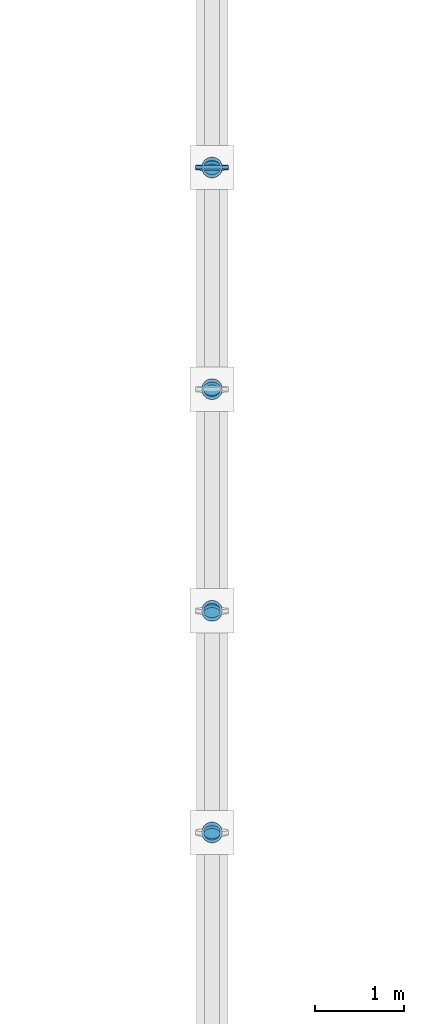
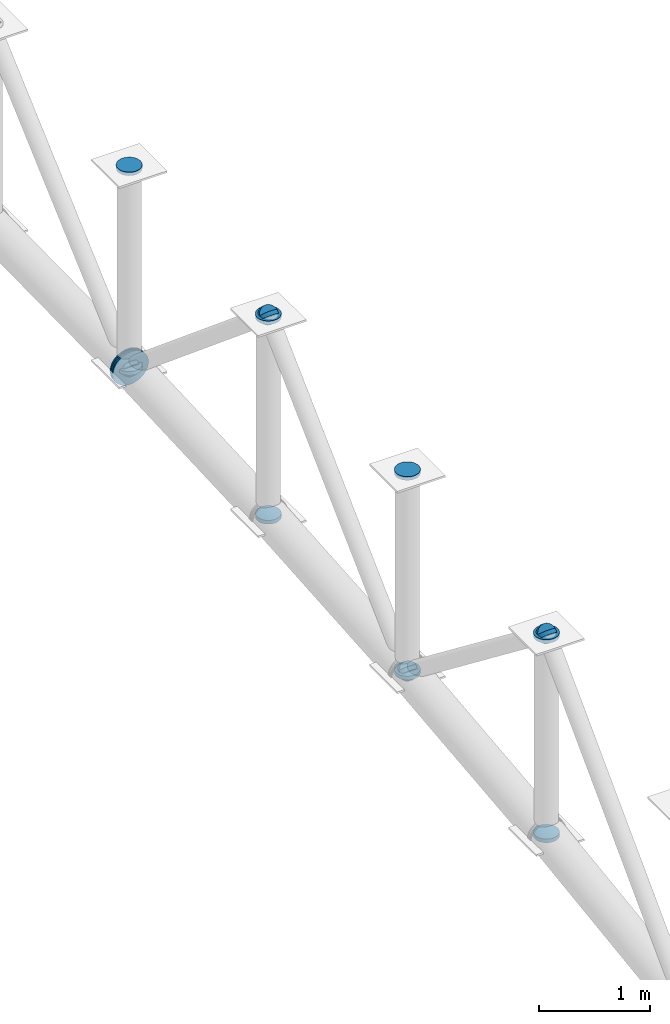
# One storey, part 128 of 195: 18 discrete accessories.
"""IFC4 building model written with IfcOpenShell, lengths in metres."""

from ifc_helpers import new_model, si_unit, direction, frame, origin, origin_2d, place, context, subcontext, project, spatial, circle, extrude, material, element, save


model = new_model("IFC4")

# Units and contexts
model_context = context("Model", 3, precision=1e-05, world=origin(), true_north=direction((0.0, 1.0)))
body_context = subcontext(model_context, "Body", "Model", "MODEL_VIEW")
ifc_project = project(units=[si_unit("LENGTHUNIT", "METRE"), si_unit("AREAUNIT", "SQUARE_METRE"), si_unit("VOLUMEUNIT", "CUBIC_METRE"), si_unit("PLANEANGLEUNIT", "RADIAN"), si_unit("MASSUNIT", "GRAM", prefix="KILO")], contexts=[model_context])

# Site, building, storey
site_placement = place(None, origin())
site = spatial("IfcSite", under=ifc_project, at=site_placement, CompositionType="ELEMENT")
building_placement = place(site_placement, origin())
building = spatial("IfcBuilding", under=site, at=building_placement, Name="Marlcrest Central Station", CompositionType="ELEMENT")
storey_placement = place(building_placement, frame((0.0, 0.0, 9.800048828125)))
storey = spatial("IfcBuildingStorey", under=building, at=storey_placement, Name="L02", CompositionType="ELEMENT", Elevation=9.800048828125)

# Discrete accessories
ifc_material = material(Name="Steel S355", Category="steel")
discrete_accessory_1_placement = place(storey_placement, frame((72.0, 55.982421875, 6.361572265625), z_axis=(0.0, 0.70023547796, 0.713911952139), x_axis=(-1.0, 0.0, 0.0)))
element("IfcDiscreteAccessory", 1, at=discrete_accessory_1_placement, inside=storey, material=ifc_material, Name="endcap-mem-AD-01-L02-01022-e", ObjectType="END_CAP_PLATE", PredefinedType="BRACKET", context=body_context, shape_type="SweptSolid", body=[
    extrude(circle(Radius=0.092041015625, at=origin_2d()), origin(), (0.0, 0.0, 1.0), 0.0400390625),
])
for number, where, z_axis, x_axis, name in (
    (2, (72.0, 56.0, 4.16455078125), (0.0, 0.0, 1.0), (1.0, 0.0, 0.0), "endcap-mem-AP-01-L02-01025-s"),
    (3, (72.0, 56.0, 6.3544921875), (0.0, 0.0, 1.0), (1.0, 0.0, 0.0), "endcap-mem-AP-01-L02-01025-e"),
):
    element("IfcDiscreteAccessory", number, at=place(storey_placement, frame(where, z_axis=z_axis, x_axis=x_axis)), inside=storey, material=ifc_material, Name=name, ObjectType="END_CAP_PLATE", PredefinedType="BRACKET", context=body_context, shape_type="SweptSolid", body=[
        extrude(circle(Radius=0.117431640625, at=origin_2d()), origin(), (0.0, 0.0, 1.0), 0.0400390625),
    ])
for number, where, z_axis, x_axis, name in (
    (4, (72.0, 55.988037109375, 6.388671875), (0.0, 0.791798282026, -0.610782678684), (-1.0, 0.0, 0.0), "endcap-mem-AD-01-L02-01026-s"),
    (5, (72.0, 58.480224609375, 4.46630859375), (0.0, 0.791798282026, -0.610782678684), (-1.0, 0.0, 0.0), "endcap-mem-AD-01-L02-01026-e"),
):
    element("IfcDiscreteAccessory", number, at=place(storey_placement, frame(where, z_axis=z_axis, x_axis=x_axis)), inside=storey, material=ifc_material, Name=name, ObjectType="END_CAP_PLATE", PredefinedType="BRACKET", context=body_context, shape_type="SweptSolid", body=[
        extrude(circle(Radius=0.092041015625, at=origin_2d()), origin(), (0.0, 0.0, 1.0), 0.0400390625),
    ])
for number, where, z_axis, x_axis, name in (
    (6, (72.0, 58.5, 4.43603515625), (0.0, 0.0, 1.0), (1.0, 0.0, 0.0), "endcap-mem-AP-01-L02-01029-s"),
    (7, (72.0, 58.5, 6.6259765625), (0.0, 0.0, 1.0), (1.0, 0.0, 0.0), "endcap-mem-AP-01-L02-01029-e"),
):
    element("IfcDiscreteAccessory", number, at=place(storey_placement, frame(where, z_axis=z_axis, x_axis=x_axis)), inside=storey, material=ifc_material, Name=name, ObjectType="END_CAP_PLATE", PredefinedType="BRACKET", context=body_context, shape_type="SweptSolid", body=[
        extrude(circle(Radius=0.117431640625, at=origin_2d()), origin(), (0.0, 0.0, 1.0), 0.0400390625),
    ])
for number, where, z_axis, x_axis, name in (
    (8, (72.0, 58.4892578125, 4.440673828125), (0.0, 0.722246537655, 0.691635698071), (-1.0, 0.0, 0.0), "endcap-mem-AD-01-L02-01030-s"),
    (9, (72.0, 60.98193359375, 6.82763671875), (0.0, 0.722246537655, 0.691635698071), (-1.0, 0.0, 0.0), "endcap-mem-AD-01-L02-01030-e"),
):
    element("IfcDiscreteAccessory", number, at=place(storey_placement, frame(where, z_axis=z_axis, x_axis=x_axis)), inside=storey, material=ifc_material, Name=name, ObjectType="END_CAP_PLATE", PredefinedType="BRACKET", context=body_context, shape_type="SweptSolid", body=[
        extrude(circle(Radius=0.092041015625, at=origin_2d()), origin(), (0.0, 0.0, 1.0), 0.0400390625),
    ])
discrete_accessory_2_placement = place(storey_placement, frame((72.0, 63.47509765625, 4.760009765625), z_axis=(0.0, 0.998916819647, 0.046531574509), x_axis=(-1.0, 0.0, 0.0)))
element("IfcDiscreteAccessory", 10, at=discrete_accessory_2_placement, inside=storey, material=ifc_material, Name="endcap-mem-AC-02-L02-01032-e", ObjectType="END_CAP_PLATE", PredefinedType="BRACKET", context=body_context, shape_type="SweptSolid", body=[
    extrude(circle(Radius=0.185791015625, at=origin_2d()), origin(), (0.0, 0.0, 1.0), 0.0400390625),
])
for number, where, z_axis, x_axis, name in (
    (11, (72.0, 61.0, 4.6298828125), (0.0, 0.0, 1.0), (1.0, 0.0, 0.0), "endcap-mem-AP-01-L02-01033-s"),
    (12, (72.0, 61.0, 6.820068359375), (0.0, 0.0, 1.0), (1.0, 0.0, 0.0), "endcap-mem-AP-01-L02-01033-e"),
):
    element("IfcDiscreteAccessory", number, at=place(storey_placement, frame(where, z_axis=z_axis, x_axis=x_axis)), inside=storey, material=ifc_material, Name=name, ObjectType="END_CAP_PLATE", PredefinedType="BRACKET", context=body_context, shape_type="SweptSolid", body=[
        extrude(circle(Radius=0.117431640625, at=origin_2d()), origin(), (0.0, 0.0, 1.0), 0.0400390625),
    ])
for number, where, z_axis, x_axis, name in (
    (13, (72.0, 60.988525390625, 6.8544921875), (0.0, 0.768159787854, -0.640258182552), (-1.0, 0.0, 0.0), "endcap-mem-AD-01-L02-01034-s"),
    (14, (72.0, 63.480712890625, 4.77734375), (0.0, 0.768159787854, -0.640258182552), (-1.0, 0.0, 0.0), "endcap-mem-AD-01-L02-01034-e"),
):
    element("IfcDiscreteAccessory", number, at=place(storey_placement, frame(where, z_axis=z_axis, x_axis=x_axis)), inside=storey, material=ifc_material, Name=name, ObjectType="END_CAP_PLATE", PredefinedType="BRACKET", context=body_context, shape_type="SweptSolid", body=[
        extrude(circle(Radius=0.092041015625, at=origin_2d()), origin(), (0.0, 0.0, 1.0), 0.0400390625),
    ])
discrete_accessory_3_placement = place(storey_placement, frame((72.0, 63.485107421875, 4.760986328125), z_axis=(0.0, 0.999879472592, 0.01552547228), x_axis=(-1.0, 0.0, 0.0)))
element("IfcDiscreteAccessory", 15, at=discrete_accessory_3_placement, inside=storey, material=ifc_material, Name="endcap-mem-AC-02-L02-01036-s", ObjectType="END_CAP_PLATE", PredefinedType="BRACKET", context=body_context, shape_type="SweptSolid", body=[
    extrude(circle(Radius=0.185791015625, at=origin_2d()), origin(), (0.0, 0.0, 1.0), 0.0400390625),
])
for number, where, z_axis, x_axis, name in (
    (16, (72.0, 63.5, 4.746337890625), (0.0, 0.0, 1.0), (1.0, 0.0, 0.0), "endcap-mem-AP-01-L02-01037-s"),
    (17, (72.0, 63.5, 6.936279296875), (0.0, 0.0, 1.0), (1.0, 0.0, 0.0), "endcap-mem-AP-01-L02-01037-e"),
):
    element("IfcDiscreteAccessory", number, at=place(storey_placement, frame(where, z_axis=z_axis, x_axis=x_axis)), inside=storey, material=ifc_material, Name=name, ObjectType="END_CAP_PLATE", PredefinedType="BRACKET", context=body_context, shape_type="SweptSolid", body=[
        extrude(circle(Radius=0.117431640625, at=origin_2d()), origin(), (0.0, 0.0, 1.0), 0.0400390625),
    ])
discrete_accessory_4_placement = place(storey_placement, frame((72.0, 63.48876953125, 4.751220703125), z_axis=(0.0, 0.744955843007, 0.66711377738), x_axis=(-1.0, 0.0, 0.0)))
element("IfcDiscreteAccessory", 18, at=discrete_accessory_4_placement, inside=storey, material=ifc_material, Name="endcap-mem-AD-01-L02-01038-s", ObjectType="END_CAP_PLATE", PredefinedType="BRACKET", context=body_context, shape_type="SweptSolid", body=[
    extrude(circle(Radius=0.092041015625, at=origin_2d()), origin(), (0.0, 0.0, 1.0), 0.0400390625),
])

save(model, "model.ifc")
